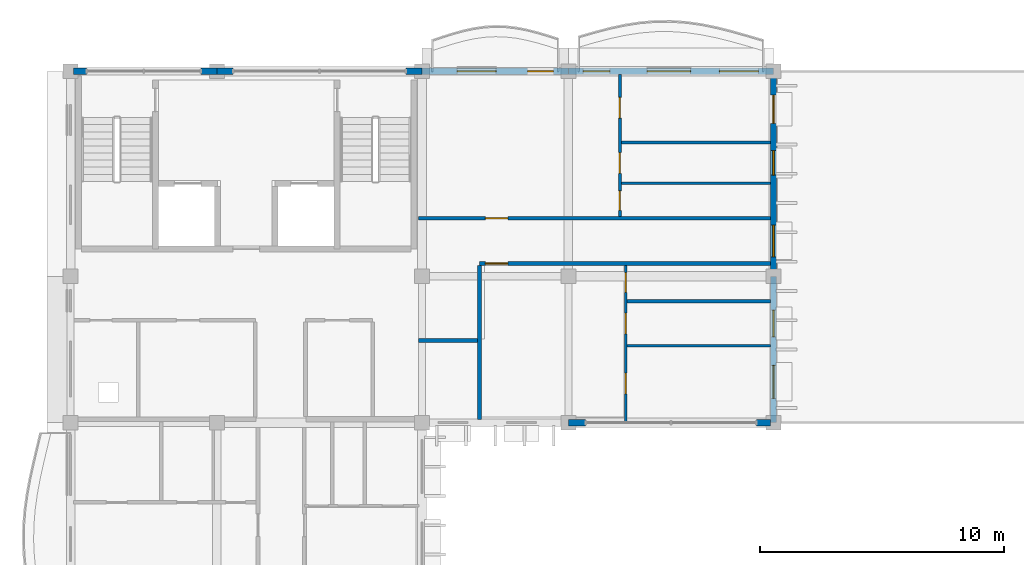
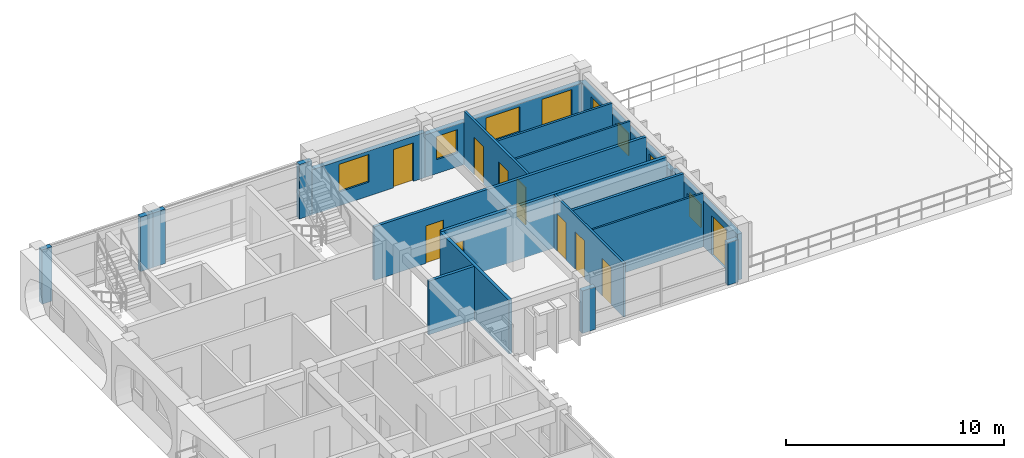
# One storey, part 13 of 31: 20 walls, 12 doors, 6 windows, 18 openings.
"""IFC4 building model written with IfcOpenShell, lengths in metres."""

from ifc_helpers import new_model, si_unit, direction, frame, frame_2d, origin, place, context, subcontext, project, spatial, rectangle, extrude, material, layer, layer_set, type_object, element, fill, save


model = new_model("IFC4")

# Units and contexts
model_context = context("Model", 3, precision=1e-05, world=origin(), true_north=direction((0.0, 1.0)))
body_context = subcontext(model_context, "Body", "Model", "MODEL_VIEW")
ifc_project = project(units=[si_unit("LENGTHUNIT", "METRE"), si_unit("AREAUNIT", "SQUARE_METRE"), si_unit("VOLUMEUNIT", "CUBIC_METRE"), si_unit("PLANEANGLEUNIT", "RADIAN"), si_unit("MASSUNIT", "GRAM", prefix="KILO"), si_unit("THERMODYNAMICTEMPERATUREUNIT", "KELVIN")], contexts=[model_context])

# Site, building, storey
site_placement = place(None, origin())
site = spatial("IfcSite", under=ifc_project, at=site_placement, CompositionType="ELEMENT")
building_placement = place(site_placement, origin())
building = spatial("IfcBuilding", under=site, at=building_placement, Name="Thalorik Housing Commons", CompositionType="ELEMENT")
storey_placement = place(building_placement, frame((0.0, 0.0, 37.800048828125)))
storey = spatial("IfcBuildingStorey", under=building, at=storey_placement, Name="L11", CompositionType="ELEMENT", Elevation=37.800048828125)

# Wall
ifc_material_1 = material(Name="Masonry fire-rated corridor wall", Category="masonry")
ifc_layer_1 = layer(ifc_material_1, 0.14990234375, Name="Masonry fire-rated corridor wall", Category="masonry")
ifc_layer_set_1 = layer_set([ifc_layer_1], Name="Masonry fire-rated corridor wall")
wall_type_1 = type_object("IfcWallType", Name="ARC-WAL-CORR-150", PredefinedType="PARTITIONING", material=ifc_layer_set_1)
wall_1_placement = place(storey_placement, frame((22.659912109375, 112.570068359375, 0.0), z_axis=(0.0, 0.0, 1.0), x_axis=(1.0, 0.0, 0.0)))
element("IfcWall", 1, at=wall_1_placement, inside=storey, type_object=wall_type_1, Name="L11 Block A Vestibule South Wall", PredefinedType="PARTITIONING", context=body_context, shape_type="SweptSolid", body=[
    extrude(rectangle(XDim=2.405517578125, YDim=0.14990234375, at=frame_2d((1.20263671875, 0.0))), origin(), (0.0, 0.0, 1.0), 3.0),
])

# Wall, opening, door
wall_2_placement = place(storey_placement, frame((22.659912109375, 117.580078125, 0.0), z_axis=(0.0, 0.0, 1.0), x_axis=(1.0, 0.0, 0.0)))
wall_2 = element("IfcWall", 2, at=wall_2_placement, inside=storey, type_object=wall_type_1, Name="L11 Block A N Corridor Wall 2", PredefinedType="PARTITIONING", context=body_context, shape_type="SweptSolid", body=[
    extrude(rectangle(XDim=14.41064453125, YDim=0.14990234375, at=frame_2d((7.205322265625, 0.0))), origin(), (0.0, 0.0, 1.0), 3.0),
])
opening_1_placement = place(wall_2_placement, frame((2.739990234375, 0.0, 0.0)))
opening_1 = element("IfcOpeningElement", 3, at=opening_1_placement, cuts=wall_2, Name="Opening ID-0868", PredefinedType="OPENING", context=body_context, shape_type="SweptSolid", body=[
    extrude(rectangle(XDim=0.919921875, YDim=2.10009765625, at=frame_2d((0.4599609375, 1.050048828125))), frame((0.0, 0.0849609375, 0.0), z_axis=(0.0, -1.0, 0.0), x_axis=(1.0, 0.0, 0.0)), (0.0, 0.0, 1.0), 0.169921875),
])
ifc_material_2 = material(Name="Solid core hardwood timber", Category="wood")
door_type_1 = type_object("IfcDoorType", Name="ARC-DR-FD30-920", OperationType="NOTDEFINED", PredefinedType="DOOR", material=ifc_material_2)
door_1_placement = place(opening_1_placement, origin())
door_1 = element("IfcDoor", 4, at=door_1_placement, inside=storey, type_object=door_type_1, Name="L11 Flat AN-1B Entrance Door", OperationType="SINGLE_SWING_LEFT", OverallHeight=2.10009765625, OverallWidth=0.919921875, PredefinedType="DOOR", context=body_context, shape_type="SweptSolid", body=[
    extrude(rectangle(XDim=0.919921875, YDim=2.10009765625, at=frame_2d((0.4599609375, 1.050048828125))), frame((0.0, 0.02490234375, 0.0), z_axis=(0.0, -1.0, 0.0), x_axis=(1.0, 0.0, 0.0)), (0.0, 0.0, 1.0), 0.050048828125),
])
fill(opening_1, door_1)

# Wall
ifc_layer_2 = layer(ifc_material_1, 0.1650390625, Name="Masonry fire-rated corridor wall", Category="masonry")
ifc_layer_set_2 = layer_set([ifc_layer_2], Name="Masonry fire-rated corridor wall")
wall_type_2 = type_object("IfcWallType", Name="ARC-WAL-CORR-165", PredefinedType="PARTITIONING", material=ifc_layer_set_2)
wall_3_placement = place(storey_placement, frame((25.14990234375, 109.32958984375, 0.0), z_axis=(0.0, 0.0, 1.0), x_axis=(0.0, 1.0, 0.0)))
element("IfcWall", 5, at=wall_3_placement, inside=storey, type_object=wall_type_2, Name="L11 Block A Vestibule Cheek Wall", PredefinedType="PARTITIONING", context=body_context, shape_type="SweptSolid", body=[
    extrude(rectangle(XDim=6.305908203125, YDim=0.1650390625, at=frame_2d((3.15283203125, 0.0))), origin(), (0.0, 0.0, 1.0), 3.0),
])

# Wall, opening, door
wall_4_placement = place(storey_placement, frame((25.14990234375, 115.719970703125, 0.0), z_axis=(0.0, 0.0, 1.0), x_axis=(1.0, 0.0, 0.0)))
wall_4 = element("IfcWall", 6, at=wall_4_placement, inside=storey, type_object=wall_type_2, Name="L11 Block A N Corridor Wall 1", PredefinedType="PARTITIONING", context=body_context, shape_type="SweptSolid", body=[
    extrude(rectangle(XDim=11.920654296875, YDim=0.1650390625, at=frame_2d((5.96044921875, 0.0))), origin(), (0.0, 0.0, 1.0), 3.0),
])
opening_2_placement = place(wall_4_placement, frame((0.25, 0.0, 0.0)))
opening_2 = element("IfcOpeningElement", 7, at=opening_2_placement, cuts=wall_4, Name="Opening ID-0867", PredefinedType="OPENING", context=body_context, shape_type="SweptSolid", body=[
    extrude(rectangle(XDim=0.919921875, YDim=2.10009765625, at=frame_2d((0.4599609375, 1.050048828125))), frame((0.0, 0.092529296875, 0.0), z_axis=(0.0, -1.0, 0.0), x_axis=(1.0, 0.0, 0.0)), (0.0, 0.0, 1.0), 0.18505859375),
])
door_2_placement = place(opening_2_placement, origin())
door_2 = element("IfcDoor", 8, at=door_2_placement, inside=storey, type_object=door_type_1, Name="L11 Flat AN-1A Entrance Door", OperationType="SINGLE_SWING_RIGHT", OverallHeight=2.10009765625, OverallWidth=0.919921875, PredefinedType="DOOR", context=body_context, shape_type="SweptSolid", body=[
    extrude(rectangle(XDim=0.919921875, YDim=2.10009765625, at=frame_2d((0.4599609375, 1.050048828125))), frame((0.0, 0.02490234375, 0.0), z_axis=(0.0, -1.0, 0.0), x_axis=(1.0, 0.0, 0.0)), (0.0, 0.0, 1.0), 0.050048828125),
])
fill(opening_2, door_2)

# Walls
ifc_material_3 = material(Name="White precast concrete C40/50", Category="concrete")
ifc_layer_3 = layer(ifc_material_3, 0.2548828125, Name="White precast concrete C40/50", Category="concrete")
ifc_layer_set_3 = layer_set([ifc_layer_3], Name="White precast concrete C40/50")
wall_type_3 = type_object("IfcWallType", Name="ARC-WAL-EXT-255", PredefinedType="STANDARD", material=ifc_layer_set_3)
wall_5_placement = place(storey_placement, frame((28.800048828125, 109.199951171875, 0.0), z_axis=(0.0, 0.0, 1.0), x_axis=(1.0, 0.0, 0.0)))
element("IfcWall", 9, at=wall_5_placement, inside=storey, type_object=wall_type_3, Name="L11 Exterior Wall WAL-PIERL-L11-A-0280", PredefinedType="STANDARD", context=body_context, shape_type="SweptSolid", body=[
    extrude(rectangle(XDim=0.699951171875, YDim=0.2548828125, at=frame_2d((0.35009765625, 0.0))), origin(), (0.0, 0.0, 1.0), 2.375),
])
wall_6_placement = place(storey_placement, frame((36.5, 109.199951171875, 0.0), z_axis=(0.0, 0.0, 1.0), x_axis=(1.0, 0.0, 0.0)))
element("IfcWall", 10, at=wall_6_placement, inside=storey, type_object=wall_type_3, Name="L11 Exterior Wall WAL-PIERR-L11-A-0280", PredefinedType="STANDARD", context=body_context, shape_type="SweptSolid", body=[
    extrude(rectangle(XDim=0.570556640625, YDim=0.2548828125, at=frame_2d((0.28515625, 0.0))), origin(), (0.0, 0.0, 1.0), 2.375),
])

# Wall, openings, door, window
wall_7_placement = place(storey_placement, frame((37.199951171875, 109.199951171875, 0.0), z_axis=(0.0, 0.0, 1.0), x_axis=(0.0, 1.0, 0.0)))
wall_7 = element("IfcWall", 11, at=wall_7_placement, inside=storey, type_object=wall_type_3, Name="L11 Exterior Wall WAL-EXT-L11-A-0281", PredefinedType="STANDARD", context=body_context, shape_type="SweptSolid", body=[
    extrude(rectangle(XDim=6.0, YDim=0.2548828125, at=frame_2d((3.0, 0.0))), origin(), (0.0, 0.0, 1.0), 2.574951171875),
])
opening_3_placement = place(wall_7_placement, frame((1.00048828125, 0.0, 0.0)))
opening_3 = element("IfcOpeningElement", 12, at=opening_3_placement, cuts=wall_7, Name="Opening ED-0089", PredefinedType="OPENING", context=body_context, shape_type="SweptSolid", body=[
    extrude(rectangle(XDim=1.35009765625, YDim=2.199951171875, at=frame_2d((0.675048828125, 1.10009765625))), frame((0.0, 0.137451171875, 0.0), z_axis=(0.0, -1.0, 0.0), x_axis=(1.0, 0.0, 0.0)), (0.0, 0.0, 1.0), 0.27490234375),
])
opening_4_placement = place(wall_7_placement, frame((3.51513671875, 0.0, 0.780029296875)))
opening_4 = element("IfcOpeningElement", 13, at=opening_4_placement, cuts=wall_7, Name="Opening W-03", PredefinedType="OPENING", context=body_context, shape_type="SweptSolid", body=[
    extrude(rectangle(XDim=1.10009765625, YDim=1.300048828125, at=frame_2d((0.550048828125, 0.64990234375))), frame((0.0, 0.137451171875, 0.0), z_axis=(0.0, -1.0, 0.0), x_axis=(1.0, 0.0, 0.0)), (0.0, 0.0, 1.0), 0.27490234375),
])
ifc_material_4 = material(Name="Anodised aluminium and laminated safety glass", Category="aluminium")
door_type_2 = type_object("IfcDoorType", Name="ARC-DR-TERR-1350", OperationType="NOTDEFINED", PredefinedType="DOOR", material=ifc_material_4)
door_3_placement = place(opening_3_placement, frame((1.35009765625, 0.0, 0.0), z_axis=(0.0, 0.0, 1.0), x_axis=(-1.0, 0.0, 0.0)))
door_3 = element("IfcDoor", 14, at=door_3_placement, inside=storey, type_object=door_type_2, Name="L11 Block A L11 Upper Sky-Garden Terrace Access Door", OperationType="SINGLE_SWING_RIGHT", OverallHeight=2.199951171875, OverallWidth=1.35009765625, PredefinedType="DOOR", context=body_context, shape_type="SweptSolid", body=[
    extrude(rectangle(XDim=1.35009765625, YDim=2.199951171875, at=frame_2d((0.675048828125, 1.10009765625))), frame((0.0, 0.02490234375, 0.0), z_axis=(0.0, -1.0, 0.0), x_axis=(1.0, 0.0, 0.0)), (0.0, 0.0, 1.0), 0.050048828125),
])
fill(opening_3, door_3)
ifc_material_5 = material(Name="Anodised aluminium and solar-control low-E glass", Category="aluminium")
window_type_1 = type_object("IfcWindowType", Name="ARC-WIN-03", PartitioningType="SINGLE_PANEL", PredefinedType="WINDOW", material=ifc_material_5)
window_1_placement = place(opening_4_placement, origin())
window_1 = element("IfcWindow", 15, at=window_1_placement, inside=storey, type_object=window_type_1, Name="L11 Facade Window 509", OverallHeight=1.300048828125, OverallWidth=1.10009765625, PartitioningType="SINGLE_PANEL", PredefinedType="WINDOW", context=body_context, shape_type="SweptSolid", body=[
    extrude(rectangle(XDim=1.10009765625, YDim=1.300048828125, at=frame_2d((0.550048828125, 0.64990234375))), frame((0.0, 0.030029296875, 0.0), z_axis=(0.0, -1.0, 0.0), x_axis=(1.0, 0.0, 0.0)), (0.0, 0.0, 1.0), 0.06005859375),
])
fill(opening_4, window_1)

# Wall, openings, door, windows
wall_8_placement = place(storey_placement, frame((37.199951171875, 115.199951171875, 0.0), z_axis=(0.0, 0.0, 1.0), x_axis=(0.0, 1.0, 0.0)))
wall_8 = element("IfcWall", 16, at=wall_8_placement, inside=storey, type_object=wall_type_3, Name="L11 Exterior Wall WAL-EXT-L11-A-0282", PredefinedType="STANDARD", context=body_context, shape_type="SweptSolid", body=[
    extrude(rectangle(XDim=8.400146484375, YDim=0.2548828125, at=frame_2d((4.2001953125, 0.0))), origin(), (0.0, 0.0, 1.0), 2.425048828125),
])
opening_5_placement = place(wall_8_placement, frame((6.26953125, 0.0, 0.0)))
opening_5 = element("IfcOpeningElement", 17, at=opening_5_placement, cuts=wall_8, Name="Opening ED-0090", PredefinedType="OPENING", context=body_context, shape_type="SweptSolid", body=[
    extrude(rectangle(XDim=1.14990234375, YDim=2.14990234375, at=frame_2d((0.574951171875, 1.074951171875))), frame((0.0, 0.137451171875, 0.0), z_axis=(0.0, -1.0, 0.0), x_axis=(1.0, 0.0, 0.0)), (0.0, 0.0, 1.0), 0.27490234375),
])
opening_6_placement = place(wall_8_placement, frame((0.800048828125, 0.0, 0.780029296875)))
opening_6 = element("IfcOpeningElement", 18, at=opening_6_placement, cuts=wall_8, Name="Opening W-06", PredefinedType="OPENING", context=body_context, shape_type="SweptSolid", body=[
    extrude(rectangle(XDim=1.300048828125, YDim=1.39990234375, at=frame_2d((0.64990234375, 0.699951171875))), frame((0.0, 0.137451171875, 0.0), z_axis=(0.0, -1.0, 0.0), x_axis=(1.0, 0.0, 0.0)), (0.0, 0.0, 1.0), 0.27490234375),
])
opening_7_placement = place(wall_8_placement, frame((4.144775390625, 0.0, 0.780029296875)))
opening_7 = element("IfcOpeningElement", 19, at=opening_7_placement, cuts=wall_8, Name="Opening W-02", PredefinedType="OPENING", context=body_context, shape_type="SweptSolid", body=[
    extrude(rectangle(XDim=1.0, YDim=1.25, at=frame_2d((0.5, 0.625))), frame((0.0, 0.137451171875, 0.0), z_axis=(0.0, -1.0, 0.0), x_axis=(1.0, 0.0, 0.0)), (0.0, 0.0, 1.0), 0.27490234375),
])
door_type_3 = type_object("IfcDoorType", Name="ARC-DR-TERR-1150", OperationType="NOTDEFINED", PredefinedType="DOOR", material=ifc_material_4)
door_4_placement = place(opening_5_placement, frame((1.14990234375, 0.0, 0.0), z_axis=(0.0, 0.0, 1.0), x_axis=(-1.0, 0.0, 0.0)))
door_4 = element("IfcDoor", 20, at=door_4_placement, inside=storey, type_object=door_type_3, Name="L11 Block A L11 Upper Sky-Garden Terrace Access Door", OperationType="SINGLE_SWING_LEFT", OverallHeight=2.14990234375, OverallWidth=1.14990234375, PredefinedType="DOOR", context=body_context, shape_type="SweptSolid", body=[
    extrude(rectangle(XDim=1.14990234375, YDim=2.14990234375, at=frame_2d((0.574951171875, 1.074951171875))), frame((0.0, 0.02490234375, 0.0), z_axis=(0.0, -1.0, 0.0), x_axis=(1.0, 0.0, 0.0)), (0.0, 0.0, 1.0), 0.050048828125),
])
fill(opening_5, door_4)
window_type_2 = type_object("IfcWindowType", Name="ARC-WIN-02", PartitioningType="SINGLE_PANEL", PredefinedType="WINDOW", material=ifc_material_5)
window_2_placement = place(opening_7_placement, origin())
window_2 = element("IfcWindow", 21, at=window_2_placement, inside=storey, type_object=window_type_2, Name="L11 Facade Window 511", OverallHeight=1.25, OverallWidth=1.0, PartitioningType="SINGLE_PANEL", PredefinedType="WINDOW", context=body_context, shape_type="SweptSolid", body=[
    extrude(rectangle(XDim=1.0, YDim=1.25, at=frame_2d((0.5, 0.625))), frame((0.0, 0.030029296875, 0.0), z_axis=(0.0, -1.0, 0.0), x_axis=(1.0, 0.0, 0.0)), (0.0, 0.0, 1.0), 0.06005859375),
])
fill(opening_7, window_2)
window_type_3 = type_object("IfcWindowType", Name="ARC-WIN-06", PartitioningType="SINGLE_PANEL", PredefinedType="WINDOW", material=ifc_material_5)
window_3_placement = place(opening_6_placement, origin())
window_3 = element("IfcWindow", 22, at=window_3_placement, inside=storey, type_object=window_type_3, Name="L11 Facade Window 510", OverallHeight=1.39990234375, OverallWidth=1.300048828125, PartitioningType="SINGLE_PANEL", PredefinedType="WINDOW", context=body_context, shape_type="SweptSolid", body=[
    extrude(rectangle(XDim=1.300048828125, YDim=1.39990234375, at=frame_2d((0.64990234375, 0.699951171875))), frame((0.0, 0.030029296875, 0.0), z_axis=(0.0, -1.0, 0.0), x_axis=(1.0, 0.0, 0.0)), (0.0, 0.0, 1.0), 0.06005859375),
])
fill(opening_6, window_3)

wall_9_placement = place(storey_placement, frame((37.199951171875, 123.60009765625, 0.0), z_axis=(0.0, 0.0, 1.0), x_axis=(-1.0, 0.0, 0.0)))
wall_9 = element("IfcWall", 23, at=wall_9_placement, inside=storey, type_object=wall_type_3, Name="L11 Exterior Wall WAL-EXT-L11-A-0283", PredefinedType="STANDARD", context=body_context, shape_type="SweptSolid", body=[
    extrude(rectangle(XDim=8.39990234375, YDim=0.2548828125, at=frame_2d((4.199951171875, 0.0))), origin(), (0.0, 0.0, 1.0), 2.375),
])
opening_8_placement = place(wall_9_placement, frame((0.6201171875, 0.0, 0.0)))
opening_8 = element("IfcOpeningElement", 24, at=opening_8_placement, cuts=wall_9, Name="Opening ED-0091", PredefinedType="OPENING", context=body_context, shape_type="SweptSolid", body=[
    extrude(rectangle(XDim=1.60009765625, YDim=2.199951171875, at=frame_2d((0.800048828125, 1.10009765625))), frame((0.0, 0.137451171875, 0.0), z_axis=(0.0, -1.0, 0.0), x_axis=(1.0, 0.0, 0.0)), (0.0, 0.0, 1.0), 0.27490234375),
])
opening_9_placement = place(wall_9_placement, frame((3.392333984375, 0.0, 0.780029296875)))
opening_9 = element("IfcOpeningElement", 25, at=opening_9_placement, cuts=wall_9, Name="Opening W-57", PredefinedType="OPENING", context=body_context, shape_type="SweptSolid", body=[
    extrude(rectangle(XDim=1.780029296875, YDim=1.419921875, at=frame_2d((0.89013671875, 0.7099609375))), frame((0.0, 0.137451171875, 0.0), z_axis=(0.0, -1.0, 0.0), x_axis=(1.0, 0.0, 0.0)), (0.0, 0.0, 1.0), 0.27490234375),
])
opening_10_placement = place(wall_9_placement, frame((6.702392578125, 0.0, 0.780029296875)))
opening_10 = element("IfcOpeningElement", 26, at=opening_10_placement, cuts=wall_9, Name="Opening W-03", PredefinedType="OPENING", context=body_context, shape_type="SweptSolid", body=[
    extrude(rectangle(XDim=1.10009765625, YDim=1.300048828125, at=frame_2d((0.550048828125, 0.64990234375))), frame((0.0, 0.137451171875, 0.0), z_axis=(0.0, -1.0, 0.0), x_axis=(1.0, 0.0, 0.0)), (0.0, 0.0, 1.0), 0.27490234375),
])
door_type_4 = type_object("IfcDoorType", Name="ARC-DR-BAL-1600", OperationType="NOTDEFINED", PredefinedType="DOOR", material=ifc_material_4)
door_5_placement = place(opening_8_placement, frame((1.60009765625, 0.0, 0.0), z_axis=(0.0, 0.0, 1.0), x_axis=(-1.0, 0.0, 0.0)))
door_5 = element("IfcDoor", 27, at=door_5_placement, inside=storey, type_object=door_type_4, Name="L11 Block A Balcony Glazed Door", OperationType="SLIDING_TO_LEFT", OverallHeight=2.199951171875, OverallWidth=1.60009765625, PredefinedType="DOOR", context=body_context, shape_type="SweptSolid", body=[
    extrude(rectangle(XDim=1.60009765625, YDim=2.199951171875, at=frame_2d((0.800048828125, 1.10009765625))), frame((0.0, 0.02490234375, 0.0), z_axis=(0.0, -1.0, 0.0), x_axis=(1.0, 0.0, 0.0)), (0.0, 0.0, 1.0), 0.050048828125),
])
fill(opening_8, door_5)
window_4_placement = place(opening_10_placement, origin())
window_4 = element("IfcWindow", 28, at=window_4_placement, inside=storey, type_object=window_type_1, Name="L11 Facade Window 513", OverallHeight=1.300048828125, OverallWidth=1.10009765625, PartitioningType="SINGLE_PANEL", PredefinedType="WINDOW", context=body_context, shape_type="SweptSolid", body=[
    extrude(rectangle(XDim=1.10009765625, YDim=1.300048828125, at=frame_2d((0.550048828125, 0.64990234375))), frame((0.0, 0.030029296875, 0.0), z_axis=(0.0, -1.0, 0.0), x_axis=(1.0, 0.0, 0.0)), (0.0, 0.0, 1.0), 0.06005859375),
])
fill(opening_10, window_4)
window_type_4 = type_object("IfcWindowType", Name="ARC-WIN-57", PartitioningType="DOUBLE_PANEL_VERTICAL", PredefinedType="WINDOW", material=ifc_material_5)
window_5_placement = place(opening_9_placement, origin())
window_5 = element("IfcWindow", 29, at=window_5_placement, inside=storey, type_object=window_type_4, Name="L11 Facade Window 512", OverallHeight=1.419921875, OverallWidth=1.780029296875, PartitioningType="DOUBLE_PANEL_VERTICAL", PredefinedType="WINDOW", context=body_context, shape_type="SweptSolid", body=[
    extrude(rectangle(XDim=1.780029296875, YDim=1.419921875, at=frame_2d((0.89013671875, 0.7099609375))), frame((0.0, 0.030029296875, 0.0), z_axis=(0.0, -1.0, 0.0), x_axis=(1.0, 0.0, 0.0)), (0.0, 0.0, 1.0), 0.06005859375),
])
fill(opening_9, window_5)

# Wall, openings, door, window
wall_10_placement = place(storey_placement, frame((28.800048828125, 123.60009765625, 0.0), z_axis=(0.0, 0.0, 1.0), x_axis=(-1.0, 0.0, 0.0)))
wall_10 = element("IfcWall", 30, at=wall_10_placement, inside=storey, type_object=wall_type_3, Name="L11 Exterior Wall WAL-EXT-L11-A-0284", PredefinedType="STANDARD", context=body_context, shape_type="SweptSolid", body=[
    extrude(rectangle(XDim=6.0, YDim=0.2548828125, at=frame_2d((3.0, 0.0))), origin(), (0.0, 0.0, 1.0), 2.52490234375),
])
opening_11_placement = place(wall_10_placement, frame((0.6201171875, 0.0, 0.0)))
opening_11 = element("IfcOpeningElement", 31, at=opening_11_placement, cuts=wall_10, Name="Opening ED-0092", PredefinedType="OPENING", context=body_context, shape_type="SweptSolid", body=[
    extrude(rectangle(XDim=1.050048828125, YDim=2.14990234375, at=frame_2d((0.52490234375, 1.074951171875))), frame((0.0, 0.137451171875, 0.0), z_axis=(0.0, -1.0, 0.0), x_axis=(1.0, 0.0, 0.0)), (0.0, 0.0, 1.0), 0.27490234375),
])
opening_12_placement = place(wall_10_placement, frame((2.965087890625, 0.0, 0.780029296875)))
opening_12 = element("IfcOpeningElement", 32, at=opening_12_placement, cuts=wall_10, Name="Opening W-13", PredefinedType="OPENING", context=body_context, shape_type="SweptSolid", body=[
    extrude(rectangle(XDim=1.60009765625, YDim=1.550048828125, at=frame_2d((0.800048828125, 0.77490234375))), frame((0.0, 0.137451171875, 0.0), z_axis=(0.0, -1.0, 0.0), x_axis=(1.0, 0.0, 0.0)), (0.0, 0.0, 1.0), 0.27490234375),
])
door_type_5 = type_object("IfcDoorType", Name="ARC-DR-BAL-1050", OperationType="NOTDEFINED", PredefinedType="DOOR", material=ifc_material_4)
door_6_placement = place(opening_11_placement, frame((1.050048828125, 0.0, 0.0), z_axis=(0.0, 0.0, 1.0), x_axis=(-1.0, 0.0, 0.0)))
door_6 = element("IfcDoor", 33, at=door_6_placement, inside=storey, type_object=door_type_5, Name="L11 Block A Balcony Glazed Door", OperationType="SINGLE_SWING_LEFT", OverallHeight=2.14990234375, OverallWidth=1.050048828125, PredefinedType="DOOR", context=body_context, shape_type="SweptSolid", body=[
    extrude(rectangle(XDim=1.050048828125, YDim=2.14990234375, at=frame_2d((0.52490234375, 1.074951171875))), frame((0.0, 0.02490234375, 0.0), z_axis=(0.0, -1.0, 0.0), x_axis=(1.0, 0.0, 0.0)), (0.0, 0.0, 1.0), 0.050048828125),
])
fill(opening_11, door_6)
window_type_5 = type_object("IfcWindowType", Name="ARC-WIN-13", PartitioningType="DOUBLE_PANEL_VERTICAL", PredefinedType="WINDOW", material=ifc_material_5)
window_6_placement = place(opening_12_placement, origin())
window_6 = element("IfcWindow", 34, at=window_6_placement, inside=storey, type_object=window_type_5, Name="L11 Facade Window 514", OverallHeight=1.550048828125, OverallWidth=1.60009765625, PartitioningType="DOUBLE_PANEL_VERTICAL", PredefinedType="WINDOW", context=body_context, shape_type="SweptSolid", body=[
    extrude(rectangle(XDim=1.60009765625, YDim=1.550048828125, at=frame_2d((0.800048828125, 0.77490234375))), frame((0.0, 0.030029296875, 0.0), z_axis=(0.0, -1.0, 0.0), x_axis=(1.0, 0.0, 0.0)), (0.0, 0.0, 1.0), 0.06005859375),
])
fill(opening_12, window_6)

# Walls
for number, where, z_axis, x_axis, name in (
    (35, (22.800048828125, 123.60009765625, 0.0), (0.0, 0.0, 1.0), (-1.0, 0.0, 0.0), "L11 Exterior Wall WAL-PIERL-L11-A-0285"),
    (36, (15.050048828125, 123.60009765625, 0.0), (0.0, 0.0, 1.0), (-1.0, 0.0, 0.0), "L11 Exterior Wall WAL-PIERR-L11-A-0285"),
):
    element("IfcWall", number, at=place(storey_placement, frame(where, z_axis=z_axis, x_axis=x_axis)), inside=storey, type_object=wall_type_3, Name=name, PredefinedType="STANDARD", context=body_context, shape_type="SweptSolid", body=[
        extrude(rectangle(XDim=0.650146484375, YDim=0.2548828125, at=frame_2d((0.3251953125, 0.0))), origin(), (0.0, 0.0, 1.0), 3.0400390625),
    ])
wall_11_placement = place(storey_placement, frame((14.39990234375, 123.60009765625, 0.0), z_axis=(0.0, 0.0, 1.0), x_axis=(-1.0, 0.0, 0.0)))
element("IfcWall", 37, at=wall_11_placement, inside=storey, type_object=wall_type_3, Name="L11 Exterior Wall WAL-PIERL-L11-A-0286", PredefinedType="STANDARD", context=body_context, shape_type="SweptSolid", body=[
    extrude(rectangle(XDim=0.64990234375, YDim=0.2548828125, at=frame_2d((0.324951171875, 0.0))), origin(), (0.0, 0.0, 1.0), 3.0400390625),
])
wall_12_placement = place(storey_placement, frame((9.050048828125, 123.60009765625, 0.0), z_axis=(0.0, 0.0, 1.0), x_axis=(-1.0, 0.0, 0.0)))
element("IfcWall", 38, at=wall_12_placement, inside=storey, type_object=wall_type_3, Name="L11 Exterior Wall WAL-PIERR-L11-A-0286", PredefinedType="STANDARD", context=body_context, shape_type="SweptSolid", body=[
    extrude(rectangle(XDim=0.5205078125, YDim=0.2548828125, at=frame_2d((0.26025390625, 0.0))), origin(), (0.0, 0.0, 1.0), 3.0400390625),
])
ifc_material_6 = material(Name="Gypsum light stud partition", Category="masonry")
ifc_layer_4 = layer(ifc_material_6, 0.10009765625, Name="Gypsum light stud partition", Category="masonry")
ifc_layer_set_4 = layer_set([ifc_layer_4], Name="Gypsum light stud partition")
wall_type_4 = type_object("IfcWallType", Name="ARC-WAL-PART-100", PredefinedType="PARTITIONING", material=ifc_layer_set_4)
wall_13_placement = place(storey_placement, frame((31.20458984375, 112.36083984375, 0.0), z_axis=(0.0, 0.0, 1.0), x_axis=(1.0, 0.0, 0.0)))
element("IfcWall", 39, at=wall_13_placement, inside=storey, type_object=wall_type_4, Name="L11 Unit 1 Bedroom Partition", PredefinedType="PARTITIONING", context=body_context, shape_type="SweptSolid", body=[
    extrude(rectangle(XDim=5.865966796875, YDim=0.10009765625, at=frame_2d((2.93310546875, 0.0))), origin(), (0.0, 0.0, 1.0), 3.0),
])
wall_14_placement = place(storey_placement, frame((30.9697265625, 119.010498046875, 0.0), z_axis=(0.0, 0.0, 1.0), x_axis=(1.0, 0.0, 0.0)))
element("IfcWall", 40, at=wall_14_placement, inside=storey, type_object=wall_type_4, Name="L11 Unit 1B Wet Wall", PredefinedType="PARTITIONING", context=body_context, shape_type="SweptSolid", body=[
    extrude(rectangle(XDim=6.100830078125, YDim=0.10009765625, at=frame_2d((3.05029296875, 0.0))), origin(), (0.0, 0.0, 1.0), 3.0),
])

# Wall, openings, doors
ifc_material_7 = material(Name="Gypsum moisture-resistant partition", Category="masonry")
ifc_layer_5 = layer(ifc_material_7, 0.114990234375, Name="Gypsum moisture-resistant partition", Category="masonry")
ifc_layer_set_5 = layer_set([ifc_layer_5], Name="Gypsum moisture-resistant partition")
wall_type_5 = type_object("IfcWallType", Name="ARC-WAL-PART-115", PredefinedType="PARTITIONING", material=ifc_layer_set_5)
wall_15_placement = place(storey_placement, frame((31.14501953125, 109.260009765625, 0.0), z_axis=(0.0, 0.0, 1.0), x_axis=(0.0, 1.0, 0.0)))
wall_15 = element("IfcWall", 41, at=wall_15_placement, inside=storey, type_object=wall_type_5, Name="L11 Unit 1 Spine Partition", PredefinedType="PARTITIONING", context=body_context, shape_type="SweptSolid", body=[
    extrude(rectangle(XDim=6.37548828125, YDim=0.114990234375, at=frame_2d((3.187744140625, 0.0))), origin(), (0.0, 0.0, 1.0), 3.0),
])
opening_13_placement = place(wall_15_placement, frame((1.12548828125, 0.0, 0.0)))
opening_13 = element("IfcOpeningElement", 42, at=opening_13_placement, cuts=wall_15, Name="Opening ID-0861", PredefinedType="OPENING", context=body_context, shape_type="SweptSolid", body=[
    extrude(rectangle(XDim=0.85009765625, YDim=2.10009765625, at=frame_2d((0.425048828125, 1.050048828125))), frame((0.0, 0.0673828125, 0.0), z_axis=(0.0, -1.0, 0.0), x_axis=(1.0, 0.0, 0.0)), (0.0, 0.0, 1.0), 0.135009765625),
])
opening_14_placement = place(wall_15_placement, frame((3.580078125, 0.0, 0.0)))
opening_14 = element("IfcOpeningElement", 43, at=opening_14_placement, cuts=wall_15, Name="Opening ID-0862", PredefinedType="OPENING", context=body_context, shape_type="SweptSolid", body=[
    extrude(rectangle(XDim=0.85009765625, YDim=2.10009765625, at=frame_2d((0.425048828125, 1.050048828125))), frame((0.0, 0.0673828125, 0.0), z_axis=(0.0, -1.0, 0.0), x_axis=(1.0, 0.0, 0.0)), (0.0, 0.0, 1.0), 0.135009765625),
])
opening_15_placement = place(wall_15_placement, frame((5.284912109375, 0.0, 0.0)))
opening_15 = element("IfcOpeningElement", 44, at=opening_15_placement, cuts=wall_15, Name="Opening ID-0863", PredefinedType="OPENING", context=body_context, shape_type="SweptSolid", body=[
    extrude(rectangle(XDim=0.800048828125, YDim=2.10009765625, at=frame_2d((0.39990234375, 1.050048828125))), frame((0.0, 0.0673828125, 0.0), z_axis=(0.0, -1.0, 0.0), x_axis=(1.0, 0.0, 0.0)), (0.0, 0.0, 1.0), 0.135009765625),
])
ifc_material_8 = material(Name="Moisture-resistant timber", Category="wood")
door_type_6 = type_object("IfcDoorType", Name="ARC-DR-INT-800", OperationType="NOTDEFINED", PredefinedType="DOOR", material=ifc_material_8)
door_7_placement = place(opening_15_placement, origin())
door_7 = element("IfcDoor", 45, at=door_7_placement, inside=storey, type_object=door_type_6, Name="L11 Flat Bathroom Door", OperationType="SINGLE_SWING_RIGHT", OverallHeight=2.10009765625, OverallWidth=0.800048828125, PredefinedType="DOOR", context=body_context, shape_type="SweptSolid", body=[
    extrude(rectangle(XDim=0.800048828125, YDim=2.10009765625, at=frame_2d((0.39990234375, 1.050048828125))), frame((0.0, 0.02490234375, 0.0), z_axis=(0.0, -1.0, 0.0), x_axis=(1.0, 0.0, 0.0)), (0.0, 0.0, 1.0), 0.050048828125),
])
fill(opening_15, door_7)
ifc_material_9 = material(Name="Engineered oak timber", Category="wood")
door_type_7 = type_object("IfcDoorType", Name="ARC-DR-INT-850", OperationType="NOTDEFINED", PredefinedType="DOOR", material=ifc_material_9)
door_8_placement = place(opening_13_placement, origin())
door_8 = element("IfcDoor", 46, at=door_8_placement, inside=storey, type_object=door_type_7, Name="L11 Single Bedroom Door", OperationType="SINGLE_SWING_RIGHT", OverallHeight=2.10009765625, OverallWidth=0.85009765625, PredefinedType="DOOR", context=body_context, shape_type="SweptSolid", body=[
    extrude(rectangle(XDim=0.85009765625, YDim=2.10009765625, at=frame_2d((0.425048828125, 1.050048828125))), frame((0.0, 0.02490234375, 0.0), z_axis=(0.0, -1.0, 0.0), x_axis=(1.0, 0.0, 0.0)), (0.0, 0.0, 1.0), 0.050048828125),
])
fill(opening_13, door_8)
door_9_placement = place(opening_14_placement, origin())
door_9 = element("IfcDoor", 47, at=door_9_placement, inside=storey, type_object=door_type_7, Name="L11 Galley Kitchen Door", OperationType="SINGLE_SWING_LEFT", OverallHeight=2.10009765625, OverallWidth=0.85009765625, PredefinedType="DOOR", context=body_context, shape_type="SweptSolid", body=[
    extrude(rectangle(XDim=0.85009765625, YDim=2.10009765625, at=frame_2d((0.425048828125, 1.050048828125))), frame((0.0, 0.02490234375, 0.0), z_axis=(0.0, -1.0, 0.0), x_axis=(1.0, 0.0, 0.0)), (0.0, 0.0, 1.0), 0.050048828125),
])
fill(opening_14, door_9)

# Wall
wall_16_placement = place(storey_placement, frame((30.9697265625, 120.67919921875, 0.0), z_axis=(0.0, 0.0, 1.0), x_axis=(1.0, 0.0, 0.0)))
element("IfcWall", 48, at=wall_16_placement, inside=storey, type_object=wall_type_5, Name="L11 Unit 1B Bedroom Partition", PredefinedType="PARTITIONING", context=body_context, shape_type="SweptSolid", body=[
    extrude(rectangle(XDim=6.100830078125, YDim=0.114990234375, at=frame_2d((3.05029296875, 0.0))), origin(), (0.0, 0.0, 1.0), 3.0),
])

# Wall, openings, doors
ifc_material_10 = material(Name="Gypsum acoustic stud partition", Category="masonry")
ifc_layer_6 = layer(ifc_material_10, 0.125, Name="Gypsum acoustic stud partition", Category="masonry")
ifc_layer_set_6 = layer_set([ifc_layer_6], Name="Gypsum acoustic stud partition")
wall_type_6 = type_object("IfcWallType", Name="ARC-WAL-PART-125", PredefinedType="PARTITIONING", material=ifc_layer_set_6)
wall_17_placement = place(storey_placement, frame((30.9052734375, 117.656982421875, 0.0), z_axis=(0.0, 0.0, 1.0), x_axis=(0.0, 1.0, 0.0)))
wall_17 = element("IfcWall", 49, at=wall_17_placement, inside=storey, type_object=wall_type_6, Name="L11 Unit 1B Spine Partition", PredefinedType="PARTITIONING", context=body_context, shape_type="SweptSolid", body=[
    extrude(rectangle(XDim=5.8134765625, YDim=0.125, at=frame_2d((2.90673828125, 0.0))), origin(), (0.0, 0.0, 1.0), 3.0),
])
opening_16_placement = place(wall_17_placement, frame((0.23828125, 0.0, 0.0)))
opening_16 = element("IfcOpeningElement", 50, at=opening_16_placement, cuts=wall_17, Name="Opening ID-0864", PredefinedType="OPENING", context=body_context, shape_type="SweptSolid", body=[
    extrude(rectangle(XDim=0.800048828125, YDim=2.10009765625, at=frame_2d((0.39990234375, 1.050048828125))), frame((0.0, 0.072509765625, 0.0), z_axis=(0.0, -1.0, 0.0), x_axis=(1.0, 0.0, 0.0)), (0.0, 0.0, 1.0), 0.14501953125),
])
opening_17_placement = place(wall_17_placement, frame((1.7626953125, 0.0, 0.0)))
opening_17 = element("IfcOpeningElement", 51, at=opening_17_placement, cuts=wall_17, Name="Opening ID-0865", PredefinedType="OPENING", context=body_context, shape_type="SweptSolid", body=[
    extrude(rectangle(XDim=0.85009765625, YDim=2.10009765625, at=frame_2d((0.425048828125, 1.050048828125))), frame((0.0, 0.072509765625, 0.0), z_axis=(0.0, -1.0, 0.0), x_axis=(1.0, 0.0, 0.0)), (0.0, 0.0, 1.0), 0.14501953125),
])
opening_18_placement = place(wall_17_placement, frame((4.027587890625, 0.0, 0.0)))
opening_18 = element("IfcOpeningElement", 52, at=opening_18_placement, cuts=wall_17, Name="Opening ID-0866", PredefinedType="OPENING", context=body_context, shape_type="SweptSolid", body=[
    extrude(rectangle(XDim=0.85009765625, YDim=2.10009765625, at=frame_2d((0.425048828125, 1.050048828125))), frame((0.0, 0.072509765625, 0.0), z_axis=(0.0, -1.0, 0.0), x_axis=(1.0, 0.0, 0.0)), (0.0, 0.0, 1.0), 0.14501953125),
])
door_10_placement = place(opening_16_placement, origin())
door_10 = element("IfcDoor", 53, at=door_10_placement, inside=storey, type_object=door_type_6, Name="L11 Flat Bathroom Door", OperationType="SINGLE_SWING_LEFT", OverallHeight=2.10009765625, OverallWidth=0.800048828125, PredefinedType="DOOR", context=body_context, shape_type="SweptSolid", body=[
    extrude(rectangle(XDim=0.800048828125, YDim=2.10009765625, at=frame_2d((0.39990234375, 1.050048828125))), frame((0.0, 0.02490234375, 0.0), z_axis=(0.0, -1.0, 0.0), x_axis=(1.0, 0.0, 0.0)), (0.0, 0.0, 1.0), 0.050048828125),
])
fill(opening_16, door_10)
door_11_placement = place(opening_17_placement, origin())
door_11 = element("IfcDoor", 54, at=door_11_placement, inside=storey, type_object=door_type_7, Name="L11 Galley Kitchen Door", OperationType="SINGLE_SWING_RIGHT", OverallHeight=2.10009765625, OverallWidth=0.85009765625, PredefinedType="DOOR", context=body_context, shape_type="SweptSolid", body=[
    extrude(rectangle(XDim=0.85009765625, YDim=2.10009765625, at=frame_2d((0.425048828125, 1.050048828125))), frame((0.0, 0.02490234375, 0.0), z_axis=(0.0, -1.0, 0.0), x_axis=(1.0, 0.0, 0.0)), (0.0, 0.0, 1.0), 0.050048828125),
])
fill(opening_17, door_11)
door_12_placement = place(opening_18_placement, origin())
door_12 = element("IfcDoor", 55, at=door_12_placement, inside=storey, type_object=door_type_7, Name="L11 Double Bedroom Door", OperationType="SINGLE_SWING_LEFT", OverallHeight=2.10009765625, OverallWidth=0.85009765625, PredefinedType="DOOR", context=body_context, shape_type="SweptSolid", body=[
    extrude(rectangle(XDim=0.85009765625, YDim=2.10009765625, at=frame_2d((0.425048828125, 1.050048828125))), frame((0.0, 0.02490234375, 0.0), z_axis=(0.0, -1.0, 0.0), x_axis=(1.0, 0.0, 0.0)), (0.0, 0.0, 1.0), 0.050048828125),
])
fill(opening_18, door_12)

# Wall
ifc_material_11 = material(Name="Ceramic masonry partition wall", Category="masonry")
ifc_layer_7 = layer(ifc_material_11, 0.139892578125, Name="Ceramic masonry partition wall", Category="masonry")
ifc_layer_set_7 = layer_set([ifc_layer_7], Name="Ceramic masonry partition wall")
wall_type_7 = type_object("IfcWallType", Name="ARC-WAL-PART-140", PredefinedType="PARTITIONING", material=ifc_layer_set_7)
wall_18_placement = place(storey_placement, frame((31.20458984375, 114.169677734375, 0.0), z_axis=(0.0, 0.0, 1.0), x_axis=(1.0, 0.0, 0.0)))
element("IfcWall", 56, at=wall_18_placement, inside=storey, type_object=wall_type_7, Name="L11 Unit 1 Wet Wall", PredefinedType="PARTITIONING", context=body_context, shape_type="SweptSolid", body=[
    extrude(rectangle(XDim=5.865966796875, YDim=0.139892578125, at=frame_2d((2.93310546875, 0.0))), origin(), (0.0, 0.0, 1.0), 3.0),
])

save(model, "model.ifc")
